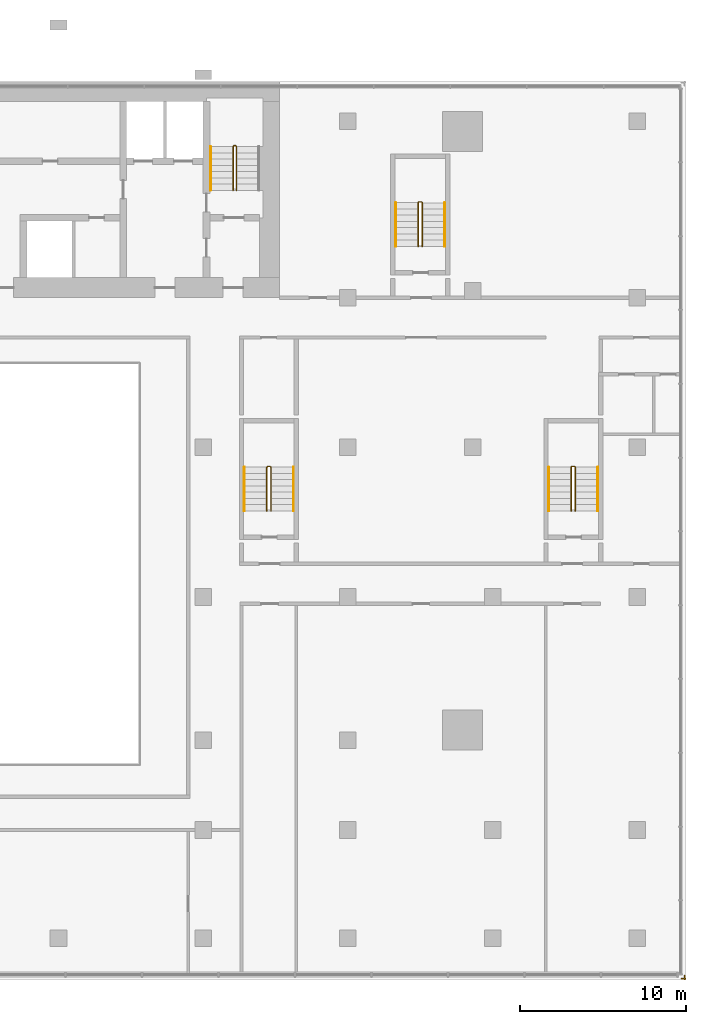
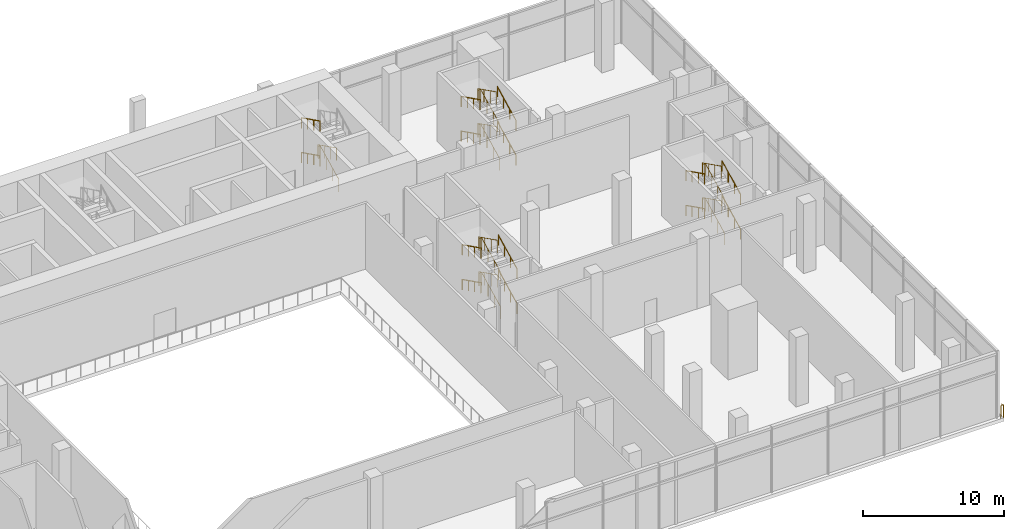
# One storey, part 21 of 22: 22 railings.
"""IFC4 building model written with IfcOpenShell, lengths in metres."""

from ifc_helpers import new_model, si_unit, direction, frame, origin, origin_2d, place, context, subcontext, project, spatial, circle, extrude, material, type_object, element, save


model = new_model("IFC4")

# Units and contexts
model_context = context("Model", 3, precision=1e-05, world=origin(), true_north=direction((0.0, 1.0)))
body_context = subcontext(model_context, "Body", "Model", "MODEL_VIEW")
ifc_project = project(units=[si_unit("LENGTHUNIT", "METRE"), si_unit("AREAUNIT", "SQUARE_METRE"), si_unit("VOLUMEUNIT", "CUBIC_METRE"), si_unit("PLANEANGLEUNIT", "RADIAN"), si_unit("MASSUNIT", "GRAM", prefix="KILO")], contexts=[model_context])

# Site, building, storey
site_placement = place(None, origin())
site = spatial("IfcSite", under=ifc_project, at=site_placement, CompositionType="ELEMENT")
building_placement = place(site_placement, origin())
building = spatial("IfcBuilding", under=site, at=building_placement, Name="Bicima Exchange Tower", CompositionType="ELEMENT")
storey_placement = place(building_placement, frame((0.0, 0.0, 14.0)))
storey = spatial("IfcBuildingStorey", under=building, at=storey_placement, Name="L02", CompositionType="ELEMENT", Elevation=14.0)

# Railings
ifc_material_1 = material(Name="Stainless steel and bonded safety glass", Category="steel")
railing_type_1 = type_object("IfcRailingType", Name="Edge guard 1100", PredefinedType="GUARDRAIL", material=ifc_material_1)
railing_1_placement = place(storey_placement, frame((46.35009765625, -53.75, 0.0)))
element("IfcRailing", 1, at=railing_1_placement, inside=storey, type_object=railing_type_1, Name="Edge guard L02 7", PredefinedType="GUARDRAIL", context=body_context, shape_type="SweptSolid", body=[
    extrude(circle(Radius=0.02392578125, at=origin_2d()), frame((0.0, 0.0, 1.076171875), z_axis=(0.0, -1.0, 0.0), x_axis=(1.0, 0.0, 0.0)), (0.0, 0.0, 1.0), 0.25),
    extrude(circle(Radius=0.02392578125, at=origin_2d()), frame((0.0, -0.25, 1.076171875), z_axis=(0.705375805398, 0.708833529934, 0.0), x_axis=(-0.708833529934, 0.705375805398, 0.0)), (0.0, 0.0, 1.0), 0.070556640625),
    extrude(circle(Radius=0.02392578125, at=origin_2d()), frame((0.0498046875, -0.199951171875, 1.076171875), z_axis=(-1.0, 0.0, 0.0), x_axis=(0.0, -1.0, 0.0)), (0.0, 0.0, 1.0), 0.2490234375),
    extrude(circle(Radius=0.02099609375, at=origin_2d()), origin(), (0.0, 0.0, 1.0), 1.052001953125),
    extrude(circle(Radius=0.02099609375, at=origin_2d()), frame((0.0, -0.25, 0.0)), (0.0, 0.0, 1.0), 1.052001953125),
    extrude(circle(Radius=0.02099609375, at=origin_2d()), frame((0.0498046875, -0.199951171875, 0.0)), (0.0, 0.0, 1.0), 1.052001953125),
    extrude(circle(Radius=0.02099609375, at=origin_2d()), frame((-0.19921875, -0.199951171875, 0.0)), (0.0, 0.0, 1.0), 1.052001953125),
])
ifc_material_2 = material(Name="Stainless steel", Category="steel")
railing_type_2 = type_object("IfcRailingType", Name="Stair guard 1100", PredefinedType="GUARDRAIL", material=ifc_material_2)
railing_2_placement = place(storey_placement, frame((19.39990234375, -6.550048828125, 0.1875)))
element("IfcRailing", 2, at=railing_2_placement, inside=storey, type_object=railing_type_2, Name="L02 ST-E stair guard 1", PredefinedType="GUARDRAIL", context=body_context, shape_type="SweptSolid", body=[
    extrude(circle(Radius=0.02392578125, at=origin_2d()), frame((0.0, 0.0, 1.076171875), z_axis=(0.0, 0.894775759346, 0.446515778543), x_axis=(-1.0, 0.0, 0.0)), (0.0, 0.0, 1.0), 2.939453125),
    extrude(circle(Radius=0.02392578125, at=origin_2d()), frame((0.0, 2.630126953125, 2.388671875), z_axis=(-0.707106781187, 0.707106781187, 0.0), x_axis=(-0.707106781187, -0.707106781187, 0.0)), (0.0, 0.0, 1.0), 0.0703125),
    extrude(circle(Radius=0.02392578125, at=origin_2d()), frame((-0.0498046875, 2.679931640625, 2.388671875), z_axis=(-1.0, 0.0, 0.0), x_axis=(0.0, -1.0, 0.0)), (0.0, 0.0, 1.0), 0.10009765625),
    extrude(circle(Radius=0.02392578125, at=origin_2d()), frame((-0.14990234375, 2.679931640625, 2.388671875), z_axis=(-0.249802250048, -0.248583702486, 0.935844527007), x_axis=(0.705375805398, -0.708833529934, 0.0)), (0.0, 0.0, 1.0), 0.200439453125),
    extrude(circle(Radius=0.02392578125, at=origin_2d()), frame((-0.199951171875, 2.630126953125, 2.576171875), z_axis=(0.0, -0.894775759346, 0.446515778543), x_axis=(1.0, 0.0, 0.0)), (0.0, 0.0, 1.0), 2.939453125),
    extrude(circle(Radius=0.02099609375, at=origin_2d()), origin(), (0.0, 0.0, 1.0), 1.052001953125),
    extrude(circle(Radius=0.02099609375, at=origin_2d()), frame((0.0, 0.876708984375, 0.4375)), (0.0, 0.0, 1.0), 1.052001953125),
    extrude(circle(Radius=0.02099609375, at=origin_2d()), frame((0.0, 1.75341796875, 0.875)), (0.0, 0.0, 1.0), 1.052001953125),
    extrude(circle(Radius=0.02099609375, at=origin_2d()), frame((0.0, 2.630126953125, 1.3125)), (0.0, 0.0, 1.0), 1.052001953125),
    extrude(circle(Radius=0.02099609375, at=origin_2d()), frame((-0.0498046875, 2.679931640625, 1.3125)), (0.0, 0.0, 1.0), 1.052001953125),
    extrude(circle(Radius=0.02099609375, at=origin_2d()), frame((-0.14990234375, 2.679931640625, 1.3125)), (0.0, 0.0, 1.0), 1.052001953125),
    extrude(circle(Radius=0.02099609375, at=origin_2d()), frame((-0.199951171875, 2.630126953125, 1.5)), (0.0, 0.0, 1.0), 1.052001953125),
    extrude(circle(Radius=0.02099609375, at=origin_2d()), frame((-0.199951171875, 1.75341796875, 1.9375)), (0.0, 0.0, 1.0), 1.052001953125),
    extrude(circle(Radius=0.02099609375, at=origin_2d()), frame((-0.199951171875, 0.876708984375, 2.375)), (0.0, 0.0, 1.0), 1.052001953125),
    extrude(circle(Radius=0.02099609375, at=origin_2d()), frame((-0.199951171875, 0.0, 2.8125)), (0.0, 0.0, 1.0), 1.052001953125),
])
railing_3_placement = place(storey_placement, frame((30.574951171875, -9.925048828125, 0.1875)))
element("IfcRailing", 3, at=railing_3_placement, inside=storey, type_object=railing_type_2, Name="L02 ST-EE stair guard 1", PredefinedType="GUARDRAIL", context=body_context, shape_type="SweptSolid", body=[
    extrude(circle(Radius=0.02392578125, at=origin_2d()), frame((0.0, 0.0, 1.076171875), z_axis=(0.0, 0.894775759346, 0.446515778543), x_axis=(-1.0, 0.0, 0.0)), (0.0, 0.0, 1.0), 2.939453125),
    extrude(circle(Radius=0.02392578125, at=origin_2d()), frame((0.0, 2.630126953125, 2.388671875), z_axis=(-0.708833529934, 0.705375805398, 0.0), x_axis=(-0.705375805398, -0.708833529934, 0.0)), (0.0, 0.0, 1.0), 0.070556640625),
    extrude(circle(Radius=0.02392578125, at=origin_2d()), frame((-0.050048828125, 2.679931640625, 2.388671875), z_axis=(-1.0, 0.0, 0.0), x_axis=(0.0, -1.0, 0.0)), (0.0, 0.0, 1.0), 0.14990234375),
    extrude(circle(Radius=0.02392578125, at=origin_2d()), frame((-0.199951171875, 2.679931640625, 2.388671875), z_axis=(-0.249802250048, -0.248583702486, 0.935844527007), x_axis=(0.705375805398, -0.708833529934, 0.0)), (0.0, 0.0, 1.0), 0.200439453125),
    extrude(circle(Radius=0.02392578125, at=origin_2d()), frame((-0.25, 2.630126953125, 2.576171875), z_axis=(0.0, -0.894775759346, 0.446515778543), x_axis=(1.0, 0.0, 0.0)), (0.0, 0.0, 1.0), 2.939453125),
    extrude(circle(Radius=0.02099609375, at=origin_2d()), origin(), (0.0, 0.0, 1.0), 1.052001953125),
    extrude(circle(Radius=0.02099609375, at=origin_2d()), frame((0.0, 0.876708984375, 0.4375)), (0.0, 0.0, 1.0), 1.052001953125),
    extrude(circle(Radius=0.02099609375, at=origin_2d()), frame((0.0, 1.75341796875, 0.875)), (0.0, 0.0, 1.0), 1.052001953125),
    extrude(circle(Radius=0.02099609375, at=origin_2d()), frame((0.0, 2.630126953125, 1.3125)), (0.0, 0.0, 1.0), 1.052001953125),
    extrude(circle(Radius=0.02099609375, at=origin_2d()), frame((-0.050048828125, 2.679931640625, 1.3125)), (0.0, 0.0, 1.0), 1.052001953125),
    extrude(circle(Radius=0.02099609375, at=origin_2d()), frame((-0.199951171875, 2.679931640625, 1.3125)), (0.0, 0.0, 1.0), 1.052001953125),
    extrude(circle(Radius=0.02099609375, at=origin_2d()), frame((-0.25, 2.630126953125, 1.5)), (0.0, 0.0, 1.0), 1.052001953125),
    extrude(circle(Radius=0.02099609375, at=origin_2d()), frame((-0.25, 1.75341796875, 1.9375)), (0.0, 0.0, 1.0), 1.052001953125),
    extrude(circle(Radius=0.02099609375, at=origin_2d()), frame((-0.25, 0.876708984375, 2.375)), (0.0, 0.0, 1.0), 1.052001953125),
    extrude(circle(Radius=0.02099609375, at=origin_2d()), frame((-0.25, 0.0, 2.8125)), (0.0, 0.0, 1.0), 1.052001953125),
])
railing_4_placement = place(storey_placement, frame((30.574951171875, -9.925048828125, 3.1875)))
element("IfcRailing", 4, at=railing_4_placement, inside=storey, type_object=railing_type_2, Name="L02 ST-EE stair guard 2", PredefinedType="GUARDRAIL", context=body_context, shape_type="SweptSolid", body=[
    extrude(circle(Radius=0.02392578125, at=origin_2d()), frame((0.0, 0.0, 1.076171875), z_axis=(0.0, 0.894775759346, 0.446515778543), x_axis=(-1.0, 0.0, 0.0)), (0.0, 0.0, 1.0), 2.939453125),
    extrude(circle(Radius=0.02392578125, at=origin_2d()), frame((0.0, 2.630126953125, 2.388671875), z_axis=(-0.708833529934, 0.705375805398, 0.0), x_axis=(-0.705375805398, -0.708833529934, 0.0)), (0.0, 0.0, 1.0), 0.070556640625),
    extrude(circle(Radius=0.02392578125, at=origin_2d()), frame((-0.050048828125, 2.679931640625, 2.388671875), z_axis=(-1.0, 0.0, 0.0), x_axis=(0.0, -1.0, 0.0)), (0.0, 0.0, 1.0), 0.14990234375),
    extrude(circle(Radius=0.02392578125, at=origin_2d()), frame((-0.199951171875, 2.679931640625, 2.388671875), z_axis=(-0.249802250048, -0.248583702486, 0.935844527007), x_axis=(0.705375805398, -0.708833529934, 0.0)), (0.0, 0.0, 1.0), 0.200439453125),
    extrude(circle(Radius=0.02392578125, at=origin_2d()), frame((-0.25, 2.630126953125, 2.576171875), z_axis=(0.0, -0.894775759346, 0.446515778543), x_axis=(1.0, 0.0, 0.0)), (0.0, 0.0, 1.0), 2.939453125),
    extrude(circle(Radius=0.02099609375, at=origin_2d()), origin(), (0.0, 0.0, 1.0), 1.052001953125),
    extrude(circle(Radius=0.02099609375, at=origin_2d()), frame((0.0, 0.876708984375, 0.4375)), (0.0, 0.0, 1.0), 1.052001953125),
    extrude(circle(Radius=0.02099609375, at=origin_2d()), frame((0.0, 1.75341796875, 0.875)), (0.0, 0.0, 1.0), 1.052001953125),
    extrude(circle(Radius=0.02099609375, at=origin_2d()), frame((0.0, 2.630126953125, 1.3125)), (0.0, 0.0, 1.0), 1.052001953125),
    extrude(circle(Radius=0.02099609375, at=origin_2d()), frame((-0.050048828125, 2.679931640625, 1.3125)), (0.0, 0.0, 1.0), 1.052001953125),
    extrude(circle(Radius=0.02099609375, at=origin_2d()), frame((-0.199951171875, 2.679931640625, 1.3125)), (0.0, 0.0, 1.0), 1.052001953125),
    extrude(circle(Radius=0.02099609375, at=origin_2d()), frame((-0.25, 2.630126953125, 1.5)), (0.0, 0.0, 1.0), 1.052001953125),
    extrude(circle(Radius=0.02099609375, at=origin_2d()), frame((-0.25, 1.75341796875, 1.9375)), (0.0, 0.0, 1.0), 1.052001953125),
    extrude(circle(Radius=0.02099609375, at=origin_2d()), frame((-0.25, 0.876708984375, 2.375)), (0.0, 0.0, 1.0), 1.052001953125),
    extrude(circle(Radius=0.02099609375, at=origin_2d()), frame((-0.25, 0.0, 2.8125)), (0.0, 0.0, 1.0), 1.052001953125),
])
railing_5_placement = place(storey_placement, frame((21.47509765625, -25.824951171875, 0.1875)))
element("IfcRailing", 5, at=railing_5_placement, inside=storey, type_object=railing_type_2, Name="L02 PS-EI stair guard 1", PredefinedType="GUARDRAIL", context=body_context, shape_type="SweptSolid", body=[
    extrude(circle(Radius=0.02392578125, at=origin_2d()), frame((0.0, 0.0, 1.076171875), z_axis=(0.0, 0.894759197849, 0.446548964689), x_axis=(-1.0, 0.0, 0.0)), (0.0, 0.0, 1.0), 2.939208984375),
    extrude(circle(Radius=0.02392578125, at=origin_2d()), frame((0.0, 2.6298828125, 2.388671875), z_axis=(-0.707106781187, 0.707106781187, 0.0), x_axis=(-0.707106781187, -0.707106781187, 0.0)), (0.0, 0.0, 1.0), 0.07080078125),
    extrude(circle(Radius=0.02392578125, at=origin_2d()), frame((-0.050048828125, 2.679931640625, 2.388671875), z_axis=(-1.0, 0.0, 0.0), x_axis=(0.0, -1.0, 0.0)), (0.0, 0.0, 1.0), 0.150146484375),
    extrude(circle(Radius=0.02392578125, at=origin_2d()), frame((-0.2001953125, 2.679931640625, 2.388671875), z_axis=(-0.248583702486, -0.249802250048, 0.935844527007), x_axis=(0.708833529934, -0.705375805398, 0.0)), (0.0, 0.0, 1.0), 0.200439453125),
    extrude(circle(Radius=0.02392578125, at=origin_2d()), frame((-0.25, 2.6298828125, 2.576171875), z_axis=(0.0, -0.894759197849, 0.446548964689), x_axis=(1.0, 0.0, 0.0)), (0.0, 0.0, 1.0), 2.939208984375),
    extrude(circle(Radius=0.02099609375, at=origin_2d()), origin(), (0.0, 0.0, 1.0), 1.052001953125),
    extrude(circle(Radius=0.02099609375, at=origin_2d()), frame((0.0, 0.876708984375, 0.4375)), (0.0, 0.0, 1.0), 1.052001953125),
    extrude(circle(Radius=0.02099609375, at=origin_2d()), frame((0.0, 1.753173828125, 0.875)), (0.0, 0.0, 1.0), 1.052001953125),
    extrude(circle(Radius=0.02099609375, at=origin_2d()), frame((0.0, 2.6298828125, 1.3125)), (0.0, 0.0, 1.0), 1.052001953125),
    extrude(circle(Radius=0.02099609375, at=origin_2d()), frame((-0.050048828125, 2.679931640625, 1.3125)), (0.0, 0.0, 1.0), 1.052001953125),
    extrude(circle(Radius=0.02099609375, at=origin_2d()), frame((-0.2001953125, 2.679931640625, 1.3125)), (0.0, 0.0, 1.0), 1.052001953125),
    extrude(circle(Radius=0.02099609375, at=origin_2d()), frame((-0.25, 2.6298828125, 1.5)), (0.0, 0.0, 1.0), 1.052001953125),
    extrude(circle(Radius=0.02099609375, at=origin_2d()), frame((-0.25, 1.753173828125, 1.9375)), (0.0, 0.0, 1.0), 1.052001953125),
    extrude(circle(Radius=0.02099609375, at=origin_2d()), frame((-0.25, 0.876708984375, 2.375)), (0.0, 0.0, 1.0), 1.052001953125),
    extrude(circle(Radius=0.02099609375, at=origin_2d()), frame((-0.25, 0.0, 2.8125)), (0.0, 0.0, 1.0), 1.052001953125),
])
railing_6_placement = place(storey_placement, frame((21.47509765625, -25.824951171875, 3.1875)))
element("IfcRailing", 6, at=railing_6_placement, inside=storey, type_object=railing_type_2, Name="L02 PS-EI stair guard 2", PredefinedType="GUARDRAIL", context=body_context, shape_type="SweptSolid", body=[
    extrude(circle(Radius=0.02392578125, at=origin_2d()), frame((0.0, 0.0, 1.076171875), z_axis=(0.0, 0.894759197849, 0.446548964689), x_axis=(-1.0, 0.0, 0.0)), (0.0, 0.0, 1.0), 2.939208984375),
    extrude(circle(Radius=0.02392578125, at=origin_2d()), frame((0.0, 2.6298828125, 2.388671875), z_axis=(-0.707106781187, 0.707106781187, 0.0), x_axis=(-0.707106781187, -0.707106781187, 0.0)), (0.0, 0.0, 1.0), 0.07080078125),
    extrude(circle(Radius=0.02392578125, at=origin_2d()), frame((-0.050048828125, 2.679931640625, 2.388671875), z_axis=(-1.0, 0.0, 0.0), x_axis=(0.0, -1.0, 0.0)), (0.0, 0.0, 1.0), 0.150146484375),
    extrude(circle(Radius=0.02392578125, at=origin_2d()), frame((-0.2001953125, 2.679931640625, 2.388671875), z_axis=(-0.248583702486, -0.249802250048, 0.935844527007), x_axis=(0.708833529934, -0.705375805398, 0.0)), (0.0, 0.0, 1.0), 0.200439453125),
    extrude(circle(Radius=0.02392578125, at=origin_2d()), frame((-0.25, 2.6298828125, 2.576171875), z_axis=(0.0, -0.894759197849, 0.446548964689), x_axis=(1.0, 0.0, 0.0)), (0.0, 0.0, 1.0), 2.939208984375),
    extrude(circle(Radius=0.02099609375, at=origin_2d()), origin(), (0.0, 0.0, 1.0), 1.052001953125),
    extrude(circle(Radius=0.02099609375, at=origin_2d()), frame((0.0, 0.876708984375, 0.4375)), (0.0, 0.0, 1.0), 1.052001953125),
    extrude(circle(Radius=0.02099609375, at=origin_2d()), frame((0.0, 1.753173828125, 0.875)), (0.0, 0.0, 1.0), 1.052001953125),
    extrude(circle(Radius=0.02099609375, at=origin_2d()), frame((0.0, 2.6298828125, 1.3125)), (0.0, 0.0, 1.0), 1.052001953125),
    extrude(circle(Radius=0.02099609375, at=origin_2d()), frame((-0.050048828125, 2.679931640625, 1.3125)), (0.0, 0.0, 1.0), 1.052001953125),
    extrude(circle(Radius=0.02099609375, at=origin_2d()), frame((-0.2001953125, 2.679931640625, 1.3125)), (0.0, 0.0, 1.0), 1.052001953125),
    extrude(circle(Radius=0.02099609375, at=origin_2d()), frame((-0.25, 2.6298828125, 1.5)), (0.0, 0.0, 1.0), 1.052001953125),
    extrude(circle(Radius=0.02099609375, at=origin_2d()), frame((-0.25, 1.753173828125, 1.9375)), (0.0, 0.0, 1.0), 1.052001953125),
    extrude(circle(Radius=0.02099609375, at=origin_2d()), frame((-0.25, 0.876708984375, 2.375)), (0.0, 0.0, 1.0), 1.052001953125),
    extrude(circle(Radius=0.02099609375, at=origin_2d()), frame((-0.25, 0.0, 2.8125)), (0.0, 0.0, 1.0), 1.052001953125),
])
railing_7_placement = place(storey_placement, frame((39.77490234375, -25.824951171875, 0.1875)))
element("IfcRailing", 7, at=railing_7_placement, inside=storey, type_object=railing_type_2, Name="L02 PS-E stair guard 1", PredefinedType="GUARDRAIL", context=body_context, shape_type="SweptSolid", body=[
    extrude(circle(Radius=0.02392578125, at=origin_2d()), frame((0.0, 0.0, 1.076171875), z_axis=(0.0, 0.894759197849, 0.446548964689), x_axis=(-1.0, 0.0, 0.0)), (0.0, 0.0, 1.0), 2.939208984375),
    extrude(circle(Radius=0.02392578125, at=origin_2d()), frame((0.0, 2.6298828125, 2.388671875), z_axis=(-0.705375805398, 0.708833529934, 0.0), x_axis=(-0.708833529934, -0.705375805398, 0.0)), (0.0, 0.0, 1.0), 0.070556640625),
    extrude(circle(Radius=0.02392578125, at=origin_2d()), frame((-0.0498046875, 2.679931640625, 2.388671875), z_axis=(-1.0, 0.0, 0.0), x_axis=(0.0, -1.0, 0.0)), (0.0, 0.0, 1.0), 0.150146484375),
    extrude(circle(Radius=0.02392578125, at=origin_2d()), frame((-0.199951171875, 2.679931640625, 2.388671875), z_axis=(-0.249726431254, -0.249726431254, 0.935560483917), x_axis=(0.707106781187, -0.707106781187, 0.0)), (0.0, 0.0, 1.0), 0.200439453125),
    extrude(circle(Radius=0.02392578125, at=origin_2d()), frame((-0.25, 2.6298828125, 2.576171875), z_axis=(0.0, -0.894759197849, 0.446548964689), x_axis=(1.0, 0.0, 0.0)), (0.0, 0.0, 1.0), 2.939208984375),
    extrude(circle(Radius=0.02099609375, at=origin_2d()), origin(), (0.0, 0.0, 1.0), 1.052001953125),
    extrude(circle(Radius=0.02099609375, at=origin_2d()), frame((0.0, 0.876708984375, 0.4375)), (0.0, 0.0, 1.0), 1.052001953125),
    extrude(circle(Radius=0.02099609375, at=origin_2d()), frame((0.0, 1.753173828125, 0.875)), (0.0, 0.0, 1.0), 1.052001953125),
    extrude(circle(Radius=0.02099609375, at=origin_2d()), frame((0.0, 2.6298828125, 1.3125)), (0.0, 0.0, 1.0), 1.052001953125),
    extrude(circle(Radius=0.02099609375, at=origin_2d()), frame((-0.0498046875, 2.679931640625, 1.3125)), (0.0, 0.0, 1.0), 1.052001953125),
    extrude(circle(Radius=0.02099609375, at=origin_2d()), frame((-0.199951171875, 2.679931640625, 1.3125)), (0.0, 0.0, 1.0), 1.052001953125),
    extrude(circle(Radius=0.02099609375, at=origin_2d()), frame((-0.25, 2.6298828125, 1.5)), (0.0, 0.0, 1.0), 1.052001953125),
    extrude(circle(Radius=0.02099609375, at=origin_2d()), frame((-0.25, 1.753173828125, 1.9375)), (0.0, 0.0, 1.0), 1.052001953125),
    extrude(circle(Radius=0.02099609375, at=origin_2d()), frame((-0.25, 0.876708984375, 2.375)), (0.0, 0.0, 1.0), 1.052001953125),
    extrude(circle(Radius=0.02099609375, at=origin_2d()), frame((-0.25, 0.0, 2.8125)), (0.0, 0.0, 1.0), 1.052001953125),
])
railing_8_placement = place(storey_placement, frame((39.77490234375, -25.824951171875, 3.1875)))
element("IfcRailing", 8, at=railing_8_placement, inside=storey, type_object=railing_type_2, Name="L02 PS-E stair guard 2", PredefinedType="GUARDRAIL", context=body_context, shape_type="SweptSolid", body=[
    extrude(circle(Radius=0.02392578125, at=origin_2d()), frame((0.0, 0.0, 1.076171875), z_axis=(0.0, 0.894759197849, 0.446548964689), x_axis=(-1.0, 0.0, 0.0)), (0.0, 0.0, 1.0), 2.939208984375),
    extrude(circle(Radius=0.02392578125, at=origin_2d()), frame((0.0, 2.6298828125, 2.388671875), z_axis=(-0.705375805398, 0.708833529934, 0.0), x_axis=(-0.708833529934, -0.705375805398, 0.0)), (0.0, 0.0, 1.0), 0.070556640625),
    extrude(circle(Radius=0.02392578125, at=origin_2d()), frame((-0.0498046875, 2.679931640625, 2.388671875), z_axis=(-1.0, 0.0, 0.0), x_axis=(0.0, -1.0, 0.0)), (0.0, 0.0, 1.0), 0.150146484375),
    extrude(circle(Radius=0.02392578125, at=origin_2d()), frame((-0.199951171875, 2.679931640625, 2.388671875), z_axis=(-0.249726431254, -0.249726431254, 0.935560483917), x_axis=(0.707106781187, -0.707106781187, 0.0)), (0.0, 0.0, 1.0), 0.200439453125),
    extrude(circle(Radius=0.02392578125, at=origin_2d()), frame((-0.25, 2.6298828125, 2.576171875), z_axis=(0.0, -0.894759197849, 0.446548964689), x_axis=(1.0, 0.0, 0.0)), (0.0, 0.0, 1.0), 2.939208984375),
    extrude(circle(Radius=0.02099609375, at=origin_2d()), origin(), (0.0, 0.0, 1.0), 1.052001953125),
    extrude(circle(Radius=0.02099609375, at=origin_2d()), frame((0.0, 0.876708984375, 0.4375)), (0.0, 0.0, 1.0), 1.052001953125),
    extrude(circle(Radius=0.02099609375, at=origin_2d()), frame((0.0, 1.753173828125, 0.875)), (0.0, 0.0, 1.0), 1.052001953125),
    extrude(circle(Radius=0.02099609375, at=origin_2d()), frame((0.0, 2.6298828125, 1.3125)), (0.0, 0.0, 1.0), 1.052001953125),
    extrude(circle(Radius=0.02099609375, at=origin_2d()), frame((-0.0498046875, 2.679931640625, 1.3125)), (0.0, 0.0, 1.0), 1.052001953125),
    extrude(circle(Radius=0.02099609375, at=origin_2d()), frame((-0.199951171875, 2.679931640625, 1.3125)), (0.0, 0.0, 1.0), 1.052001953125),
    extrude(circle(Radius=0.02099609375, at=origin_2d()), frame((-0.25, 2.6298828125, 1.5)), (0.0, 0.0, 1.0), 1.052001953125),
    extrude(circle(Radius=0.02099609375, at=origin_2d()), frame((-0.25, 1.753173828125, 1.9375)), (0.0, 0.0, 1.0), 1.052001953125),
    extrude(circle(Radius=0.02099609375, at=origin_2d()), frame((-0.25, 0.876708984375, 2.375)), (0.0, 0.0, 1.0), 1.052001953125),
    extrude(circle(Radius=0.02099609375, at=origin_2d()), frame((-0.25, 0.0, 2.8125)), (0.0, 0.0, 1.0), 1.052001953125),
])
railing_type_3 = type_object("IfcRailingType", Name="Stair handrail 900", PredefinedType="HANDRAIL", material=ifc_material_2)
for number, where, name in (
    (9, (17.85009765625, -3.919921875, 1.6875), "L02 ST-E stair handrail 2"),
    (10, (17.85009765625, -3.919921875, 4.6875), "L02 ST-E stair handrail 4"),
):
    element("IfcRailing", number, at=place(storey_placement, frame(where)), inside=storey, type_object=railing_type_3, Name=name, PredefinedType="HANDRAIL", context=body_context, shape_type="SweptSolid", body=[
        extrude(circle(Radius=0.02392578125, at=origin_2d()), frame((0.0, 0.0, 0.8759765625), z_axis=(0.0, -0.894775759346, 0.446515778543), x_axis=(1.0, 0.0, 0.0)), (0.0, 0.0, 1.0), 2.939453125),
        extrude(circle(Radius=0.02099609375, at=origin_2d()), origin(), (0.0, 0.0, 1.0), 0.851806640625),
        extrude(circle(Radius=0.02099609375, at=origin_2d()), frame((0.0, -0.876708984375, 0.4375)), (0.0, 0.0, 1.0), 0.851806640625),
        extrude(circle(Radius=0.02099609375, at=origin_2d()), frame((0.0, -1.75341796875, 0.875)), (0.0, 0.0, 1.0), 0.851806640625),
        extrude(circle(Radius=0.02099609375, at=origin_2d()), frame((0.0, -2.630126953125, 1.3125)), (0.0, 0.0, 1.0), 0.851806640625),
    ])
railing_9_placement = place(storey_placement, frame((31.925048828125, -9.925048828125, 0.1875)))
element("IfcRailing", 11, at=railing_9_placement, inside=storey, type_object=railing_type_3, Name="L02 ST-EE stair handrail 1", PredefinedType="HANDRAIL", context=body_context, shape_type="SweptSolid", body=[
    extrude(circle(Radius=0.02392578125, at=origin_2d()), frame((0.0, 0.0, 0.8759765625), z_axis=(0.0, 0.894775759346, 0.446515778543), x_axis=(-1.0, 0.0, 0.0)), (0.0, 0.0, 1.0), 2.939453125),
    extrude(circle(Radius=0.02099609375, at=origin_2d()), origin(), (0.0, 0.0, 1.0), 0.851806640625),
    extrude(circle(Radius=0.02099609375, at=origin_2d()), frame((0.0, 0.876708984375, 0.4375)), (0.0, 0.0, 1.0), 0.851806640625),
    extrude(circle(Radius=0.02099609375, at=origin_2d()), frame((0.0, 1.75341796875, 0.875)), (0.0, 0.0, 1.0), 0.851806640625),
    extrude(circle(Radius=0.02099609375, at=origin_2d()), frame((0.0, 2.630126953125, 1.3125)), (0.0, 0.0, 1.0), 0.851806640625),
])
railing_10_placement = place(storey_placement, frame((28.97509765625, -7.294921875, 1.6875)))
element("IfcRailing", 12, at=railing_10_placement, inside=storey, type_object=railing_type_3, Name="L02 ST-EE stair handrail 2", PredefinedType="HANDRAIL", context=body_context, shape_type="SweptSolid", body=[
    extrude(circle(Radius=0.02392578125, at=origin_2d()), frame((0.0, 0.0, 0.8759765625), z_axis=(0.0, -0.894775759346, 0.446515778543), x_axis=(1.0, 0.0, 0.0)), (0.0, 0.0, 1.0), 2.939453125),
    extrude(circle(Radius=0.02099609375, at=origin_2d()), origin(), (0.0, 0.0, 1.0), 0.851806640625),
    extrude(circle(Radius=0.02099609375, at=origin_2d()), frame((0.0, -0.876708984375, 0.4375)), (0.0, 0.0, 1.0), 0.851806640625),
    extrude(circle(Radius=0.02099609375, at=origin_2d()), frame((0.0, -1.75341796875, 0.875)), (0.0, 0.0, 1.0), 0.851806640625),
    extrude(circle(Radius=0.02099609375, at=origin_2d()), frame((0.0, -2.630126953125, 1.3125)), (0.0, 0.0, 1.0), 0.851806640625),
])
railing_11_placement = place(storey_placement, frame((31.925048828125, -9.925048828125, 3.1875)))
element("IfcRailing", 13, at=railing_11_placement, inside=storey, type_object=railing_type_3, Name="L02 ST-EE stair handrail 3", PredefinedType="HANDRAIL", context=body_context, shape_type="SweptSolid", body=[
    extrude(circle(Radius=0.02392578125, at=origin_2d()), frame((0.0, 0.0, 0.8759765625), z_axis=(0.0, 0.894775759346, 0.446515778543), x_axis=(-1.0, 0.0, 0.0)), (0.0, 0.0, 1.0), 2.939453125),
    extrude(circle(Radius=0.02099609375, at=origin_2d()), origin(), (0.0, 0.0, 1.0), 0.851806640625),
    extrude(circle(Radius=0.02099609375, at=origin_2d()), frame((0.0, 0.876708984375, 0.4375)), (0.0, 0.0, 1.0), 0.851806640625),
    extrude(circle(Radius=0.02099609375, at=origin_2d()), frame((0.0, 1.75341796875, 0.875)), (0.0, 0.0, 1.0), 0.851806640625),
    extrude(circle(Radius=0.02099609375, at=origin_2d()), frame((0.0, 2.630126953125, 1.3125)), (0.0, 0.0, 1.0), 0.851806640625),
])
railing_12_placement = place(storey_placement, frame((28.97509765625, -7.294921875, 4.6875)))
element("IfcRailing", 14, at=railing_12_placement, inside=storey, type_object=railing_type_3, Name="L02 ST-EE stair handrail 4", PredefinedType="HANDRAIL", context=body_context, shape_type="SweptSolid", body=[
    extrude(circle(Radius=0.02392578125, at=origin_2d()), frame((0.0, 0.0, 0.8759765625), z_axis=(0.0, -0.894775759346, 0.446515778543), x_axis=(1.0, 0.0, 0.0)), (0.0, 0.0, 1.0), 2.939453125),
    extrude(circle(Radius=0.02099609375, at=origin_2d()), origin(), (0.0, 0.0, 1.0), 0.851806640625),
    extrude(circle(Radius=0.02099609375, at=origin_2d()), frame((0.0, -0.876708984375, 0.4375)), (0.0, 0.0, 1.0), 0.851806640625),
    extrude(circle(Radius=0.02099609375, at=origin_2d()), frame((0.0, -1.75341796875, 0.875)), (0.0, 0.0, 1.0), 0.851806640625),
    extrude(circle(Radius=0.02099609375, at=origin_2d()), frame((0.0, -2.630126953125, 1.3125)), (0.0, 0.0, 1.0), 0.851806640625),
])
railing_13_placement = place(storey_placement, frame((22.824951171875, -25.824951171875, 0.1875)))
element("IfcRailing", 15, at=railing_13_placement, inside=storey, type_object=railing_type_3, Name="L02 PS-EI stair handrail 1", PredefinedType="HANDRAIL", context=body_context, shape_type="SweptSolid", body=[
    extrude(circle(Radius=0.02392578125, at=origin_2d()), frame((0.0, 0.0, 0.8759765625), z_axis=(0.0, 0.894759197849, 0.446548964689), x_axis=(-1.0, 0.0, 0.0)), (0.0, 0.0, 1.0), 2.939208984375),
    extrude(circle(Radius=0.02099609375, at=origin_2d()), origin(), (0.0, 0.0, 1.0), 0.851806640625),
    extrude(circle(Radius=0.02099609375, at=origin_2d()), frame((0.0, 0.876708984375, 0.4375)), (0.0, 0.0, 1.0), 0.851806640625),
    extrude(circle(Radius=0.02099609375, at=origin_2d()), frame((0.0, 1.753173828125, 0.875)), (0.0, 0.0, 1.0), 0.851806640625),
    extrude(circle(Radius=0.02099609375, at=origin_2d()), frame((0.0, 2.6298828125, 1.3125)), (0.0, 0.0, 1.0), 0.851806640625),
])
railing_14_placement = place(storey_placement, frame((19.875, -23.195068359375, 1.6875)))
element("IfcRailing", 16, at=railing_14_placement, inside=storey, type_object=railing_type_3, Name="L02 PS-EI stair handrail 2", PredefinedType="HANDRAIL", context=body_context, shape_type="SweptSolid", body=[
    extrude(circle(Radius=0.02392578125, at=origin_2d()), frame((0.0, 0.0, 0.8759765625), z_axis=(0.0, -0.894759197849, 0.446548964689), x_axis=(1.0, 0.0, 0.0)), (0.0, 0.0, 1.0), 2.939208984375),
    extrude(circle(Radius=0.02099609375, at=origin_2d()), origin(), (0.0, 0.0, 1.0), 0.851806640625),
    extrude(circle(Radius=0.02099609375, at=origin_2d()), frame((0.0, -0.876708984375, 0.4375)), (0.0, 0.0, 1.0), 0.851806640625),
    extrude(circle(Radius=0.02099609375, at=origin_2d()), frame((0.0, -1.753173828125, 0.875)), (0.0, 0.0, 1.0), 0.851806640625),
    extrude(circle(Radius=0.02099609375, at=origin_2d()), frame((0.0, -2.6298828125, 1.3125)), (0.0, 0.0, 1.0), 0.851806640625),
])
railing_15_placement = place(storey_placement, frame((22.824951171875, -25.824951171875, 3.1875)))
element("IfcRailing", 17, at=railing_15_placement, inside=storey, type_object=railing_type_3, Name="L02 PS-EI stair handrail 3", PredefinedType="HANDRAIL", context=body_context, shape_type="SweptSolid", body=[
    extrude(circle(Radius=0.02392578125, at=origin_2d()), frame((0.0, 0.0, 0.8759765625), z_axis=(0.0, 0.894759197849, 0.446548964689), x_axis=(-1.0, 0.0, 0.0)), (0.0, 0.0, 1.0), 2.939208984375),
    extrude(circle(Radius=0.02099609375, at=origin_2d()), origin(), (0.0, 0.0, 1.0), 0.851806640625),
    extrude(circle(Radius=0.02099609375, at=origin_2d()), frame((0.0, 0.876708984375, 0.4375)), (0.0, 0.0, 1.0), 0.851806640625),
    extrude(circle(Radius=0.02099609375, at=origin_2d()), frame((0.0, 1.753173828125, 0.875)), (0.0, 0.0, 1.0), 0.851806640625),
    extrude(circle(Radius=0.02099609375, at=origin_2d()), frame((0.0, 2.6298828125, 1.3125)), (0.0, 0.0, 1.0), 0.851806640625),
])
railing_16_placement = place(storey_placement, frame((19.875, -23.195068359375, 4.6875)))
element("IfcRailing", 18, at=railing_16_placement, inside=storey, type_object=railing_type_3, Name="L02 PS-EI stair handrail 4", PredefinedType="HANDRAIL", context=body_context, shape_type="SweptSolid", body=[
    extrude(circle(Radius=0.02392578125, at=origin_2d()), frame((0.0, 0.0, 0.8759765625), z_axis=(0.0, -0.894759197849, 0.446548964689), x_axis=(1.0, 0.0, 0.0)), (0.0, 0.0, 1.0), 2.939208984375),
    extrude(circle(Radius=0.02099609375, at=origin_2d()), origin(), (0.0, 0.0, 1.0), 0.851806640625),
    extrude(circle(Radius=0.02099609375, at=origin_2d()), frame((0.0, -0.876708984375, 0.4375)), (0.0, 0.0, 1.0), 0.851806640625),
    extrude(circle(Radius=0.02099609375, at=origin_2d()), frame((0.0, -1.753173828125, 0.875)), (0.0, 0.0, 1.0), 0.851806640625),
    extrude(circle(Radius=0.02099609375, at=origin_2d()), frame((0.0, -2.6298828125, 1.3125)), (0.0, 0.0, 1.0), 0.851806640625),
])
railing_17_placement = place(storey_placement, frame((41.125, -25.824951171875, 0.1875)))
element("IfcRailing", 19, at=railing_17_placement, inside=storey, type_object=railing_type_3, Name="L02 PS-E stair handrail 1", PredefinedType="HANDRAIL", context=body_context, shape_type="SweptSolid", body=[
    extrude(circle(Radius=0.02392578125, at=origin_2d()), frame((0.0, 0.0, 0.8759765625), z_axis=(0.0, 0.894759197849, 0.446548964689), x_axis=(-1.0, 0.0, 0.0)), (0.0, 0.0, 1.0), 2.939208984375),
    extrude(circle(Radius=0.02099609375, at=origin_2d()), origin(), (0.0, 0.0, 1.0), 0.851806640625),
    extrude(circle(Radius=0.02099609375, at=origin_2d()), frame((0.0, 0.876708984375, 0.4375)), (0.0, 0.0, 1.0), 0.851806640625),
    extrude(circle(Radius=0.02099609375, at=origin_2d()), frame((0.0, 1.753173828125, 0.875)), (0.0, 0.0, 1.0), 0.851806640625),
    extrude(circle(Radius=0.02099609375, at=origin_2d()), frame((0.0, 2.6298828125, 1.3125)), (0.0, 0.0, 1.0), 0.851806640625),
])
railing_18_placement = place(storey_placement, frame((38.175048828125, -23.195068359375, 1.6875)))
element("IfcRailing", 20, at=railing_18_placement, inside=storey, type_object=railing_type_3, Name="L02 PS-E stair handrail 2", PredefinedType="HANDRAIL", context=body_context, shape_type="SweptSolid", body=[
    extrude(circle(Radius=0.02392578125, at=origin_2d()), frame((0.0, 0.0, 0.8759765625), z_axis=(0.0, -0.894759197849, 0.446548964689), x_axis=(1.0, 0.0, 0.0)), (0.0, 0.0, 1.0), 2.939208984375),
    extrude(circle(Radius=0.02099609375, at=origin_2d()), origin(), (0.0, 0.0, 1.0), 0.851806640625),
    extrude(circle(Radius=0.02099609375, at=origin_2d()), frame((0.0, -0.876708984375, 0.4375)), (0.0, 0.0, 1.0), 0.851806640625),
    extrude(circle(Radius=0.02099609375, at=origin_2d()), frame((0.0, -1.753173828125, 0.875)), (0.0, 0.0, 1.0), 0.851806640625),
    extrude(circle(Radius=0.02099609375, at=origin_2d()), frame((0.0, -2.6298828125, 1.3125)), (0.0, 0.0, 1.0), 0.851806640625),
])
railing_19_placement = place(storey_placement, frame((41.125, -25.824951171875, 3.1875)))
element("IfcRailing", 21, at=railing_19_placement, inside=storey, type_object=railing_type_3, Name="L02 PS-E stair handrail 3", PredefinedType="HANDRAIL", context=body_context, shape_type="SweptSolid", body=[
    extrude(circle(Radius=0.02392578125, at=origin_2d()), frame((0.0, 0.0, 0.8759765625), z_axis=(0.0, 0.894759197849, 0.446548964689), x_axis=(-1.0, 0.0, 0.0)), (0.0, 0.0, 1.0), 2.939208984375),
    extrude(circle(Radius=0.02099609375, at=origin_2d()), origin(), (0.0, 0.0, 1.0), 0.851806640625),
    extrude(circle(Radius=0.02099609375, at=origin_2d()), frame((0.0, 0.876708984375, 0.4375)), (0.0, 0.0, 1.0), 0.851806640625),
    extrude(circle(Radius=0.02099609375, at=origin_2d()), frame((0.0, 1.753173828125, 0.875)), (0.0, 0.0, 1.0), 0.851806640625),
    extrude(circle(Radius=0.02099609375, at=origin_2d()), frame((0.0, 2.6298828125, 1.3125)), (0.0, 0.0, 1.0), 0.851806640625),
])
railing_20_placement = place(storey_placement, frame((38.175048828125, -23.195068359375, 4.6875)))
element("IfcRailing", 22, at=railing_20_placement, inside=storey, type_object=railing_type_3, Name="L02 PS-E stair handrail 4", PredefinedType="HANDRAIL", context=body_context, shape_type="SweptSolid", body=[
    extrude(circle(Radius=0.02392578125, at=origin_2d()), frame((0.0, 0.0, 0.8759765625), z_axis=(0.0, -0.894759197849, 0.446548964689), x_axis=(1.0, 0.0, 0.0)), (0.0, 0.0, 1.0), 2.939208984375),
    extrude(circle(Radius=0.02099609375, at=origin_2d()), origin(), (0.0, 0.0, 1.0), 0.851806640625),
    extrude(circle(Radius=0.02099609375, at=origin_2d()), frame((0.0, -0.876708984375, 0.4375)), (0.0, 0.0, 1.0), 0.851806640625),
    extrude(circle(Radius=0.02099609375, at=origin_2d()), frame((0.0, -1.753173828125, 0.875)), (0.0, 0.0, 1.0), 0.851806640625),
    extrude(circle(Radius=0.02099609375, at=origin_2d()), frame((0.0, -2.6298828125, 1.3125)), (0.0, 0.0, 1.0), 0.851806640625),
])

save(model, "model.ifc")
